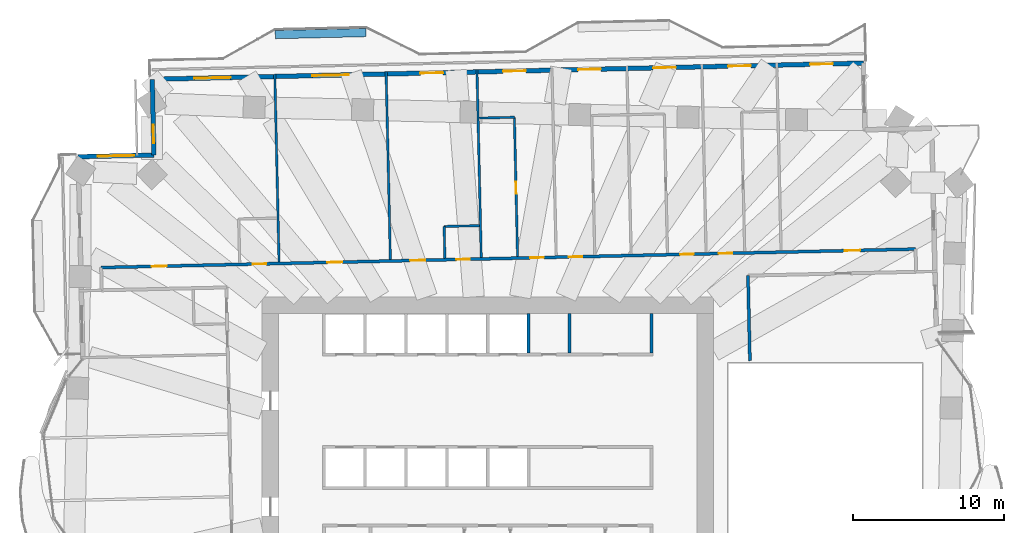
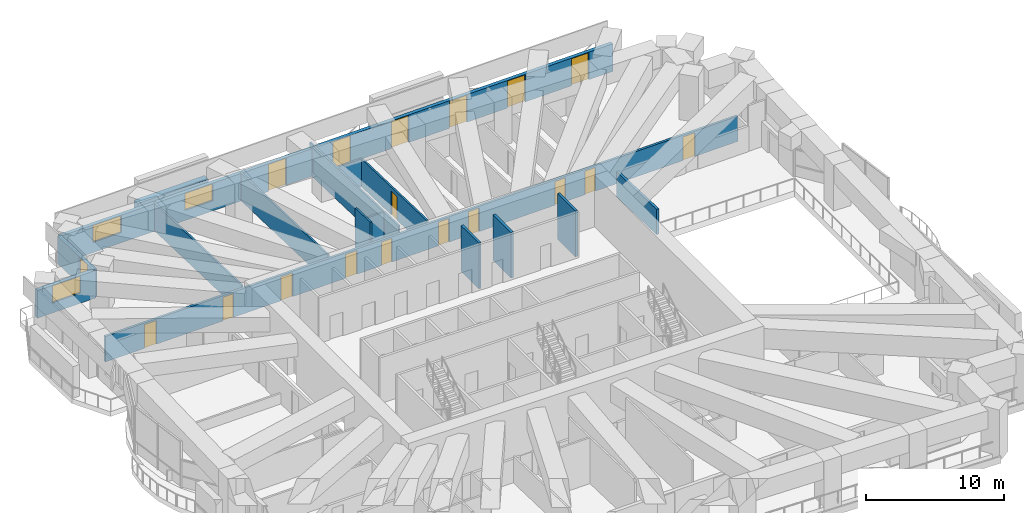
# One storey, part 14 of 20: 17 doors, 16 walls, 4 windows, 21 openings.
"""IFC4 building model written with IfcOpenShell, lengths in metres."""

from ifc_helpers import new_model, si_unit, direction, frame, frame_2d, origin, place, context, subcontext, project, spatial, rectangle, extrude, material, layer, layer_set, type_object, element, fill, save


model = new_model("IFC4")

# Units and contexts
model_context = context("Model", 3, precision=1e-05, world=origin(), true_north=direction((0.0, 1.0)))
body_context = subcontext(model_context, "Body", "Model", "MODEL_VIEW")
ifc_project = project(units=[si_unit("LENGTHUNIT", "METRE"), si_unit("AREAUNIT", "SQUARE_METRE"), si_unit("VOLUMEUNIT", "CUBIC_METRE"), si_unit("PLANEANGLEUNIT", "RADIAN"), si_unit("MASSUNIT", "GRAM", prefix="KILO")], contexts=[model_context])

# Site, building, storey
site_placement = place(None, origin())
site = spatial("IfcSite", under=ifc_project, at=site_placement, CompositionType="ELEMENT")
building_placement = place(site_placement, origin())
building = spatial("IfcBuilding", under=site, at=building_placement, Name="Mangrove Gate Tower", CompositionType="ELEMENT")
storey_placement = place(building_placement, frame((0.0, 0.0, 74.699951171875)))
storey = spatial("IfcBuildingStorey", under=building, at=storey_placement, Name="L18", CompositionType="ELEMENT", Elevation=74.699951171875)

# Walls
ifc_material_1 = material(Name="Concrete C32/40", Category="concrete")
ifc_layer_1 = layer(ifc_material_1, 0.199951171875)
ifc_layer_set_1 = layer_set([ifc_layer_1], Name="Core room wall 200 C32/40")
wall_type_1 = type_object("IfcWallType", Name="Core room wall 200 C32/40", PredefinedType="STANDARD", material=ifc_layer_set_1)
for number, where, z_axis, x_axis, name in (
    (1, (5.39990234375, 8.199951171875, 0.0), (0.0, 0.0, 1.0), (0.0, 1.0, 0.0), "WALL-L18-CORE-32"),
    (2, (10.800048828125, 8.199951171875, 0.0), (0.0, 0.0, 1.0), (0.0, 1.0, 0.0), "WALL-L18-CORE-33"),
):
    element("IfcWall", number, at=place(storey_placement, frame(where, z_axis=z_axis, x_axis=x_axis)), inside=storey, type_object=wall_type_1, Name=name, PredefinedType="STANDARD", context=body_context, shape_type="SweptSolid", body=[
        extrude(rectangle(XDim=2.60009765625, YDim=0.199951171875, at=frame_2d((1.300048828125, 0.0))), origin(), (0.0, 0.0, 1.0), 4.050048828125),
    ])
ifc_material_2 = material(Name="Concrete C70/85", Category="concrete")
ifc_layer_2 = layer(ifc_material_2, 0.199951171875)
ifc_layer_set_2 = layer_set([ifc_layer_2], Name="Core shaft wall 200 C70/85")
wall_type_2 = type_object("IfcWallType", Name="Core shaft wall 200 C70/85", PredefinedType="SHEAR", material=ifc_layer_set_2)
wall_1_placement = place(storey_placement, frame((2.699951171875, 8.199951171875, 0.0), z_axis=(0.0, 0.0, 1.0), x_axis=(0.0, 1.0, 0.0)))
element("IfcWall", 3, at=wall_1_placement, inside=storey, type_object=wall_type_2, Name="WALL-L18-CORE-31", PredefinedType="SHEAR", context=body_context, shape_type="SweptSolid", body=[
    extrude(rectangle(XDim=2.60009765625, YDim=0.199951171875, at=frame_2d((1.300048828125, 0.0))), origin(), (0.0, 0.0, 1.0), 4.050048828125),
])
ifc_material_3 = material(Name="Gypsum board on steel stud, EI 60", Category="steel")
ifc_layer_3 = layer(ifc_material_3, 0.199951171875)
ifc_layer_set_3 = layer_set([ifc_layer_3], Name="Corridor wall EI 60")
wall_type_3 = type_object("IfcWallType", Name="Corridor wall EI 60", PredefinedType="PARTITIONING", material=ifc_layer_set_3)
wall_2_placement = place(storey_placement, frame((17.306884765625, 7.68603515625, 0.0), z_axis=(0.0, 0.0, 1.0), x_axis=(-0.022584272568, 0.999744942789, 0.0)))
element("IfcWall", 4, at=wall_2_placement, inside=storey, type_object=wall_type_3, Name="WALL-L18-036", PredefinedType="PARTITIONING", context=body_context, shape_type="SweptSolid", body=[
    extrude(rectangle(XDim=5.621337890625, YDim=0.199951171875, at=frame_2d((2.810546875, 0.0))), origin(), (0.0, 0.0, 1.0), 2.25),
])

# Wall, openings, doors
wall_3_placement = place(storey_placement, frame((-25.52490234375, 13.837890625, 0.0), z_axis=(0.0, 0.0, 1.0), x_axis=(0.999742549888, 0.022689952476, 0.0)))
wall_3 = element("IfcWall", 5, at=wall_3_placement, inside=storey, type_object=wall_type_3, Name="WALL-L18-046", PredefinedType="PARTITIONING", context=body_context, shape_type="SweptSolid", body=[
    extrude(rectangle(XDim=53.77783203125, YDim=0.199951171875, at=frame_2d((26.888916015625, 0.0))), origin(), (0.0, 0.0, 1.0), 2.25),
])
opening_1_placement = place(wall_3_placement, frame((49.114013671875, 0.0, 0.0)))
opening_1 = element("IfcOpeningElement", 6, at=opening_1_placement, cuts=wall_3, Name="Opening AD", PredefinedType="OPENING", context=body_context, shape_type="SweptSolid", body=[
    extrude(rectangle(XDim=1.0, YDim=2.10009765625, at=frame_2d((0.5, 1.050048828125))), frame((0.0, 0.10986328125, 0.0), z_axis=(0.0, -1.0, 0.0), x_axis=(1.0, 0.0, 0.0)), (0.0, 0.0, 1.0), 0.219970703125),
])
opening_2_placement = place(wall_3_placement, frame((40.781005859375, 0.0, 0.0)))
opening_2 = element("IfcOpeningElement", 7, at=opening_2_placement, cuts=wall_3, Name="Opening BD", PredefinedType="OPENING", context=body_context, shape_type="SweptSolid", body=[
    extrude(rectangle(XDim=0.89990234375, YDim=2.10009765625, at=frame_2d((0.449951171875, 1.050048828125))), frame((0.0, 0.10986328125, 0.0), z_axis=(0.0, -1.0, 0.0), x_axis=(1.0, 0.0, 0.0)), (0.0, 0.0, 1.0), 0.219970703125),
])
opening_3_placement = place(wall_3_placement, frame((38.23095703125, 0.0, 0.0)))
opening_3 = element("IfcOpeningElement", 8, at=opening_3_placement, cuts=wall_3, Name="Opening BD", PredefinedType="OPENING", context=body_context, shape_type="SweptSolid", body=[
    extrude(rectangle(XDim=0.89990234375, YDim=2.10009765625, at=frame_2d((0.449951171875, 1.050048828125))), frame((0.0, 0.10986328125, 0.0), z_axis=(0.0, -1.0, 0.0), x_axis=(1.0, 0.0, 0.0)), (0.0, 0.0, 1.0), 0.219970703125),
])
opening_4_placement = place(wall_3_placement, frame((30.881103515625, 0.0, 0.0)))
opening_4 = element("IfcOpeningElement", 9, at=opening_4_placement, cuts=wall_3, Name="Opening BD", PredefinedType="OPENING", context=body_context, shape_type="SweptSolid", body=[
    extrude(rectangle(XDim=0.89990234375, YDim=2.10009765625, at=frame_2d((0.449951171875, 1.050048828125))), frame((0.0, 0.10986328125, 0.0), z_axis=(0.0, -1.0, 0.0), x_axis=(1.0, 0.0, 0.0)), (0.0, 0.0, 1.0), 0.219970703125),
])
opening_5_placement = place(wall_3_placement, frame((28.3310546875, 0.0, 0.0)))
opening_5 = element("IfcOpeningElement", 10, at=opening_5_placement, cuts=wall_3, Name="Opening BD", PredefinedType="OPENING", context=body_context, shape_type="SweptSolid", body=[
    extrude(rectangle(XDim=0.89990234375, YDim=2.10009765625, at=frame_2d((0.449951171875, 1.050048828125))), frame((0.0, 0.10986328125, 0.0), z_axis=(0.0, -1.0, 0.0), x_axis=(1.0, 0.0, 0.0)), (0.0, 0.0, 1.0), 0.219970703125),
])
opening_6_placement = place(wall_3_placement, frame((20.406005859375, 0.0, 0.0)))
opening_6 = element("IfcOpeningElement", 11, at=opening_6_placement, cuts=wall_3, Name="Opening AD", PredefinedType="OPENING", context=body_context, shape_type="SweptSolid", body=[
    extrude(rectangle(XDim=1.0, YDim=2.10009765625, at=frame_2d((0.5, 1.050048828125))), frame((0.0, 0.10986328125, 0.0), z_axis=(0.0, -1.0, 0.0), x_axis=(1.0, 0.0, 0.0)), (0.0, 0.0, 1.0), 0.219970703125),
])
opening_7_placement = place(wall_3_placement, frame((23.4560546875, 0.0, 0.0)))
opening_7 = element("IfcOpeningElement", 12, at=opening_7_placement, cuts=wall_3, Name="Opening SD", PredefinedType="OPENING", context=body_context, shape_type="SweptSolid", body=[
    extrude(rectangle(XDim=0.89990234375, YDim=2.10009765625, at=frame_2d((0.449951171875, 1.050048828125))), frame((0.0, 0.10986328125, 0.0), z_axis=(0.0, -1.0, 0.0), x_axis=(1.0, 0.0, 0.0)), (0.0, 0.0, 1.0), 0.219970703125),
])
opening_8_placement = place(wall_3_placement, frame((14.930908203125, 0.0, 0.0)))
opening_8 = element("IfcOpeningElement", 13, at=opening_8_placement, cuts=wall_3, Name="Opening AD", PredefinedType="OPENING", context=body_context, shape_type="SweptSolid", body=[
    extrude(rectangle(XDim=1.0, YDim=2.10009765625, at=frame_2d((0.5, 1.050048828125))), frame((0.0, 0.10986328125, 0.0), z_axis=(0.0, -1.0, 0.0), x_axis=(1.0, 0.0, 0.0)), (0.0, 0.0, 1.0), 0.219970703125),
])
opening_9_placement = place(wall_3_placement, frame((3.3310546875, 0.0, 0.0)))
opening_9 = element("IfcOpeningElement", 14, at=opening_9_placement, cuts=wall_3, Name="Opening AD", PredefinedType="OPENING", context=body_context, shape_type="SweptSolid", body=[
    extrude(rectangle(XDim=1.0, YDim=2.10009765625, at=frame_2d((0.5, 1.050048828125))), frame((0.0, 0.10986328125, 0.0), z_axis=(0.0, -1.0, 0.0), x_axis=(1.0, 0.0, 0.0)), (0.0, 0.0, 1.0), 0.219970703125),
])
opening_10_placement = place(wall_3_placement, frame((10.006103515625, 0.0, 0.0)))
opening_10 = element("IfcOpeningElement", 15, at=opening_10_placement, cuts=wall_3, Name="Opening SD", PredefinedType="OPENING", context=body_context, shape_type="SweptSolid", body=[
    extrude(rectangle(XDim=0.89990234375, YDim=2.10009765625, at=frame_2d((0.449951171875, 1.050048828125))), frame((0.0, 0.10986328125, 0.0), z_axis=(0.0, -1.0, 0.0), x_axis=(1.0, 0.0, 0.0)), (0.0, 0.0, 1.0), 0.219970703125),
])
ifc_material_4 = material(Name="Timber door leaf", Category="wood")
door_type_1 = type_object("IfcDoorType", Name="Amenity door 1000", OperationType="SINGLE_SWING_LEFT", PredefinedType="DOOR", material=ifc_material_4)
door_1_placement = place(opening_1_placement, origin())
door_1 = element("IfcDoor", 16, at=door_1_placement, inside=storey, type_object=door_type_1, Name="DOOR-L18-KIT-c3b", OperationType="SINGLE_SWING_RIGHT", OverallHeight=2.10009765625, OverallWidth=1.0, PredefinedType="DOOR", context=body_context, shape_type="SweptSolid", body=[
    extrude(rectangle(XDim=1.0, YDim=2.10009765625, at=frame_2d((0.5, 1.050048828125))), frame((0.0, 0.02490234375, 0.0), z_axis=(0.0, -1.0, 0.0), x_axis=(1.0, 0.0, 0.0)), (0.0, 0.0, 1.0), 0.050048828125),
])
fill(opening_1, door_1)
door_2_placement = place(opening_6_placement, origin())
door_2 = element("IfcDoor", 17, at=door_2_placement, inside=storey, type_object=door_type_1, Name="DOOR-L18-KIT-c5a", OperationType="SINGLE_SWING_LEFT", OverallHeight=2.10009765625, OverallWidth=1.0, PredefinedType="DOOR", context=body_context, shape_type="SweptSolid", body=[
    extrude(rectangle(XDim=1.0, YDim=2.10009765625, at=frame_2d((0.5, 1.050048828125))), frame((0.0, 0.02490234375, 0.0), z_axis=(0.0, -1.0, 0.0), x_axis=(1.0, 0.0, 0.0)), (0.0, 0.0, 1.0), 0.050048828125),
])
fill(opening_6, door_2)
door_3_placement = place(opening_8_placement, origin())
door_3 = element("IfcDoor", 18, at=door_3_placement, inside=storey, type_object=door_type_1, Name="DOOR-L18-GAM-c5a", OperationType="SINGLE_SWING_RIGHT", OverallHeight=2.10009765625, OverallWidth=1.0, PredefinedType="DOOR", context=body_context, shape_type="SweptSolid", body=[
    extrude(rectangle(XDim=1.0, YDim=2.10009765625, at=frame_2d((0.5, 1.050048828125))), frame((0.0, 0.02490234375, 0.0), z_axis=(0.0, -1.0, 0.0), x_axis=(1.0, 0.0, 0.0)), (0.0, 0.0, 1.0), 0.050048828125),
])
fill(opening_8, door_3)
door_4_placement = place(opening_9_placement, origin())
door_4 = element("IfcDoor", 19, at=door_4_placement, inside=storey, type_object=door_type_1, Name="DOOR-L18-LNG-c5a", OperationType="SINGLE_SWING_LEFT", OverallHeight=2.10009765625, OverallWidth=1.0, PredefinedType="DOOR", context=body_context, shape_type="SweptSolid", body=[
    extrude(rectangle(XDim=1.0, YDim=2.10009765625, at=frame_2d((0.5, 1.050048828125))), frame((0.0, 0.02490234375, 0.0), z_axis=(0.0, -1.0, 0.0), x_axis=(1.0, 0.0, 0.0)), (0.0, 0.0, 1.0), 0.050048828125),
])
fill(opening_9, door_4)
ifc_material_5 = material(Name="Timber door leaf", Category="wood")
door_type_2 = type_object("IfcDoorType", Name="Bedroom door 900", OperationType="SINGLE_SWING_LEFT", PredefinedType="DOOR", material=ifc_material_5)
door_5_placement = place(opening_2_placement, origin())
door_5 = element("IfcDoor", 20, at=door_5_placement, inside=storey, type_object=door_type_2, Name="DOOR-L18-BED-c304", OperationType="SINGLE_SWING_RIGHT", OverallHeight=2.10009765625, OverallWidth=0.89990234375, PredefinedType="DOOR", context=body_context, shape_type="SweptSolid", body=[
    extrude(rectangle(XDim=0.89990234375, YDim=2.10009765625, at=frame_2d((0.449951171875, 1.050048828125))), frame((0.0, 0.02490234375, 0.0), z_axis=(0.0, -1.0, 0.0), x_axis=(1.0, 0.0, 0.0)), (0.0, 0.0, 1.0), 0.050048828125),
])
fill(opening_2, door_5)
door_6_placement = place(opening_3_placement, origin())
door_6 = element("IfcDoor", 21, at=door_6_placement, inside=storey, type_object=door_type_2, Name="DOOR-L18-BED-c305", OperationType="SINGLE_SWING_LEFT", OverallHeight=2.10009765625, OverallWidth=0.89990234375, PredefinedType="DOOR", context=body_context, shape_type="SweptSolid", body=[
    extrude(rectangle(XDim=0.89990234375, YDim=2.10009765625, at=frame_2d((0.449951171875, 1.050048828125))), frame((0.0, 0.02490234375, 0.0), z_axis=(0.0, -1.0, 0.0), x_axis=(1.0, 0.0, 0.0)), (0.0, 0.0, 1.0), 0.050048828125),
])
fill(opening_3, door_6)
door_7_placement = place(opening_4_placement, origin())
door_7 = element("IfcDoor", 22, at=door_7_placement, inside=storey, type_object=door_type_2, Name="DOOR-L18-BED-c406", OperationType="SINGLE_SWING_RIGHT", OverallHeight=2.10009765625, OverallWidth=0.89990234375, PredefinedType="DOOR", context=body_context, shape_type="SweptSolid", body=[
    extrude(rectangle(XDim=0.89990234375, YDim=2.10009765625, at=frame_2d((0.449951171875, 1.050048828125))), frame((0.0, 0.02490234375, 0.0), z_axis=(0.0, -1.0, 0.0), x_axis=(1.0, 0.0, 0.0)), (0.0, 0.0, 1.0), 0.050048828125),
])
fill(opening_4, door_7)
door_8_placement = place(opening_5_placement, origin())
door_8 = element("IfcDoor", 23, at=door_8_placement, inside=storey, type_object=door_type_2, Name="DOOR-L18-BED-c507", OperationType="SINGLE_SWING_LEFT", OverallHeight=2.10009765625, OverallWidth=0.89990234375, PredefinedType="DOOR", context=body_context, shape_type="SweptSolid", body=[
    extrude(rectangle(XDim=0.89990234375, YDim=2.10009765625, at=frame_2d((0.449951171875, 1.050048828125))), frame((0.0, 0.02490234375, 0.0), z_axis=(0.0, -1.0, 0.0), x_axis=(1.0, 0.0, 0.0)), (0.0, 0.0, 1.0), 0.050048828125),
])
fill(opening_5, door_8)
ifc_material_6 = material(Name="Timber door leaf", Category="wood")
door_type_3 = type_object("IfcDoorType", Name="Service room door 900", OperationType="SINGLE_SWING_LEFT", PredefinedType="DOOR", material=ifc_material_6)
door_9_placement = place(opening_7_placement, origin())
door_9 = element("IfcDoor", 24, at=door_9_placement, inside=storey, type_object=door_type_3, Name="DOOR-L18-LIN-c5a", OperationType="SINGLE_SWING_LEFT", OverallHeight=2.10009765625, OverallWidth=0.89990234375, PredefinedType="DOOR", context=body_context, shape_type="SweptSolid", body=[
    extrude(rectangle(XDim=0.89990234375, YDim=2.10009765625, at=frame_2d((0.449951171875, 1.050048828125))), frame((0.0, 0.02490234375, 0.0), z_axis=(0.0, -1.0, 0.0), x_axis=(1.0, 0.0, 0.0)), (0.0, 0.0, 1.0), 0.050048828125),
])
fill(opening_7, door_9)
door_10_placement = place(opening_10_placement, origin())
door_10 = element("IfcDoor", 25, at=door_10_placement, inside=storey, type_object=door_type_3, Name="DOOR-L18-AWC-c5a", OperationType="SINGLE_SWING_RIGHT", OverallHeight=2.10009765625, OverallWidth=0.89990234375, PredefinedType="DOOR", context=body_context, shape_type="SweptSolid", body=[
    extrude(rectangle(XDim=0.89990234375, YDim=2.10009765625, at=frame_2d((0.449951171875, 1.050048828125))), frame((0.0, 0.02490234375, 0.0), z_axis=(0.0, -1.0, 0.0), x_axis=(1.0, 0.0, 0.0)), (0.0, 0.0, 1.0), 0.050048828125),
])
fill(opening_10, door_10)

# Wall, openings, doors, windows
ifc_material_7 = material(Name="Limestone", Category="masonry")
ifc_layer_4 = layer(ifc_material_7, 0.0400390625, Name="Limestone cladding")
ifc_material_8 = material(Name="Ventilated air gap")
ifc_layer_5 = layer(ifc_material_8, 0.0400390625, Name="Ventilated cavity")
ifc_material_9 = material(Name="Mineral wool insulation")
ifc_layer_6 = layer(ifc_material_9, 0.06005859375, Name="Insulation")
ifc_material_10 = material(Name="Breather membrane")
ifc_layer_7 = layer(ifc_material_10, 0.001953125, Name="Breather membrane")
ifc_material_11 = material(Name="Concrete C20/25 blockwork", Category="masonry")
ifc_layer_8 = layer(ifc_material_11, 0.14990234375, Name="Blockwork backing wall")
ifc_material_12 = material(Name="Gypsum plaster")
ifc_layer_9 = layer(ifc_material_12, 0.008056640625, Name="Internal plaster")
ifc_layer_set_4 = layer_set([ifc_layer_4, ifc_layer_5, ifc_layer_6, ifc_layer_7, ifc_layer_8, ifc_layer_9], Name="External wall 300 limestone cladding")
wall_type_4 = type_object("IfcWallType", Name="External wall 300 limestone cladding", PredefinedType="SOLIDWALL", material=ifc_layer_set_4)
wall_4_placement = place(storey_placement, frame((24.80908203125, 27.3330078125, 0.0), z_axis=(0.0, 0.0, 1.0), x_axis=(-0.999742489858, -0.022692597327, 0.0)))
wall_4 = element("IfcWall", 26, at=wall_4_placement, inside=storey, type_object=wall_type_4, Name="WALL-L18-N5", PredefinedType="SOLIDWALL", context=body_context, shape_type="SweptSolid", body=[
    extrude(rectangle(XDim=46.97216796875, YDim=0.300048828125, at=frame_2d((23.486083984375, 0.0))), origin(), (0.0, 0.0, 1.0), 2.449951171875),
])
opening_11_placement = place(wall_4_placement, frame((2.035888671875, 0.0, 0.0)))
opening_11 = element("IfcOpeningElement", 27, at=opening_11_placement, cuts=wall_4, Name="Opening BD1", PredefinedType="OPENING", context=body_context, shape_type="SweptSolid", body=[
    extrude(rectangle(XDim=1.5, YDim=2.39990234375, at=frame_2d((0.75, 1.199951171875))), frame((0.0, 0.159912109375, 0.0), z_axis=(0.0, -1.0, 0.0), x_axis=(1.0, 0.0, 0.0)), (0.0, 0.0, 1.0), 0.320068359375),
])
opening_12_placement = place(wall_4_placement, frame((7.447021484375, 0.0, 0.0)))
opening_12 = element("IfcOpeningElement", 28, at=opening_12_placement, cuts=wall_4, Name="Opening BD1", PredefinedType="OPENING", context=body_context, shape_type="SweptSolid", body=[
    extrude(rectangle(XDim=1.5, YDim=2.39990234375, at=frame_2d((0.75, 1.199951171875))), frame((0.0, 0.159912109375, 0.0), z_axis=(0.0, -1.0, 0.0), x_axis=(1.0, 0.0, 0.0)), (0.0, 0.0, 1.0), 0.320068359375),
])
opening_13_placement = place(wall_4_placement, frame((12.39697265625, 0.0, 0.0)))
opening_13 = element("IfcOpeningElement", 29, at=opening_13_placement, cuts=wall_4, Name="Opening BD1", PredefinedType="OPENING", context=body_context, shape_type="SweptSolid", body=[
    extrude(rectangle(XDim=1.5, YDim=2.39990234375, at=frame_2d((0.75, 1.199951171875))), frame((0.0, 0.159912109375, 0.0), z_axis=(0.0, -1.0, 0.0), x_axis=(1.0, 0.0, 0.0)), (0.0, 0.0, 1.0), 0.320068359375),
])
opening_14_placement = place(wall_4_placement, frame((17.346923828125, 0.0, 0.0)))
opening_14 = element("IfcOpeningElement", 30, at=opening_14_placement, cuts=wall_4, Name="Opening BD1", PredefinedType="OPENING", context=body_context, shape_type="SweptSolid", body=[
    extrude(rectangle(XDim=1.5, YDim=2.39990234375, at=frame_2d((0.75, 1.199951171875))), frame((0.0, 0.159912109375, 0.0), z_axis=(0.0, -1.0, 0.0), x_axis=(1.0, 0.0, 0.0)), (0.0, 0.0, 1.0), 0.320068359375),
])
opening_15_placement = place(wall_4_placement, frame((22.297119140625, 0.0, 0.0)))
opening_15 = element("IfcOpeningElement", 31, at=opening_15_placement, cuts=wall_4, Name="Opening BD1", PredefinedType="OPENING", context=body_context, shape_type="SweptSolid", body=[
    extrude(rectangle(XDim=1.5, YDim=2.39990234375, at=frame_2d((0.75, 1.199951171875))), frame((0.0, 0.159912109375, 0.0), z_axis=(0.0, -1.0, 0.0), x_axis=(1.0, 0.0, 0.0)), (0.0, 0.0, 1.0), 0.320068359375),
])
opening_16_placement = place(wall_4_placement, frame((27.77197265625, 0.0, 0.0)))
opening_16 = element("IfcOpeningElement", 32, at=opening_16_placement, cuts=wall_4, Name="Opening BD1", PredefinedType="OPENING", context=body_context, shape_type="SweptSolid", body=[
    extrude(rectangle(XDim=1.5, YDim=2.39990234375, at=frame_2d((0.75, 1.199951171875))), frame((0.0, 0.159912109375, 0.0), z_axis=(0.0, -1.0, 0.0), x_axis=(1.0, 0.0, 0.0)), (0.0, 0.0, 1.0), 0.320068359375),
])
opening_17_placement = place(wall_4_placement, frame((33.9970703125, 0.0, 0.89990234375)))
opening_17 = element("IfcOpeningElement", 33, at=opening_17_placement, cuts=wall_4, Name="Opening W2", PredefinedType="OPENING", context=body_context, shape_type="SweptSolid", body=[
    extrude(rectangle(XDim=2.39990234375, YDim=1.5, at=frame_2d((1.199951171875, 0.75))), frame((0.0, 0.159912109375, 0.0), z_axis=(0.0, -1.0, 0.0), x_axis=(1.0, 0.0, 0.0)), (0.0, 0.0, 1.0), 0.320068359375),
])
opening_18_placement = place(wall_4_placement, frame((41.797119140625, 0.0, 0.89990234375)))
opening_18 = element("IfcOpeningElement", 34, at=opening_18_placement, cuts=wall_4, Name="Opening W2", PredefinedType="OPENING", context=body_context, shape_type="SweptSolid", body=[
    extrude(rectangle(XDim=2.39990234375, YDim=1.5, at=frame_2d((1.199951171875, 0.75))), frame((0.0, 0.159912109375, 0.0), z_axis=(0.0, -1.0, 0.0), x_axis=(1.0, 0.0, 0.0)), (0.0, 0.0, 1.0), 0.320068359375),
])
ifc_material_13 = material(Name="Aluminium frame with laminated clear glass", Category="aluminium")
door_type_4 = type_object("IfcDoorType", Name="Balcony sliding door 1500x2400", OperationType="SLIDING_TO_LEFT", PredefinedType="DOOR", material=ifc_material_13)
door_11_placement = place(opening_11_placement, origin())
door_11 = element("IfcDoor", 35, at=door_11_placement, inside=storey, type_object=door_type_4, Name="DOOR-L18-N5-1", OperationType="SLIDING_TO_LEFT", OverallHeight=2.39990234375, OverallWidth=1.5, PredefinedType="DOOR", context=body_context, shape_type="SweptSolid", body=[
    extrude(rectangle(XDim=1.5, YDim=2.39990234375, at=frame_2d((0.75, 1.199951171875))), frame((0.0, 0.02490234375, 0.0), z_axis=(0.0, -1.0, 0.0), x_axis=(1.0, 0.0, 0.0)), (0.0, 0.0, 1.0), 0.050048828125),
])
fill(opening_11, door_11)
door_12_placement = place(opening_12_placement, origin())
door_12 = element("IfcDoor", 36, at=door_12_placement, inside=storey, type_object=door_type_4, Name="DOOR-L18-N5-2", OperationType="SLIDING_TO_LEFT", OverallHeight=2.39990234375, OverallWidth=1.5, PredefinedType="DOOR", context=body_context, shape_type="SweptSolid", body=[
    extrude(rectangle(XDim=1.5, YDim=2.39990234375, at=frame_2d((0.75, 1.199951171875))), frame((0.0, 0.02490234375, 0.0), z_axis=(0.0, -1.0, 0.0), x_axis=(1.0, 0.0, 0.0)), (0.0, 0.0, 1.0), 0.050048828125),
])
fill(opening_12, door_12)
door_13_placement = place(opening_13_placement, origin())
door_13 = element("IfcDoor", 37, at=door_13_placement, inside=storey, type_object=door_type_4, Name="DOOR-L18-N5-3", OperationType="SLIDING_TO_LEFT", OverallHeight=2.39990234375, OverallWidth=1.5, PredefinedType="DOOR", context=body_context, shape_type="SweptSolid", body=[
    extrude(rectangle(XDim=1.5, YDim=2.39990234375, at=frame_2d((0.75, 1.199951171875))), frame((0.0, 0.02490234375, 0.0), z_axis=(0.0, -1.0, 0.0), x_axis=(1.0, 0.0, 0.0)), (0.0, 0.0, 1.0), 0.050048828125),
])
fill(opening_13, door_13)
door_14_placement = place(opening_14_placement, origin())
door_14 = element("IfcDoor", 38, at=door_14_placement, inside=storey, type_object=door_type_4, Name="DOOR-L18-N5-4", OperationType="SLIDING_TO_LEFT", OverallHeight=2.39990234375, OverallWidth=1.5, PredefinedType="DOOR", context=body_context, shape_type="SweptSolid", body=[
    extrude(rectangle(XDim=1.5, YDim=2.39990234375, at=frame_2d((0.75, 1.199951171875))), frame((0.0, 0.02490234375, 0.0), z_axis=(0.0, -1.0, 0.0), x_axis=(1.0, 0.0, 0.0)), (0.0, 0.0, 1.0), 0.050048828125),
])
fill(opening_14, door_14)
door_15_placement = place(opening_15_placement, origin())
door_15 = element("IfcDoor", 39, at=door_15_placement, inside=storey, type_object=door_type_4, Name="DOOR-L18-N5-5", OperationType="SLIDING_TO_LEFT", OverallHeight=2.39990234375, OverallWidth=1.5, PredefinedType="DOOR", context=body_context, shape_type="SweptSolid", body=[
    extrude(rectangle(XDim=1.5, YDim=2.39990234375, at=frame_2d((0.75, 1.199951171875))), frame((0.0, 0.02490234375, 0.0), z_axis=(0.0, -1.0, 0.0), x_axis=(1.0, 0.0, 0.0)), (0.0, 0.0, 1.0), 0.050048828125),
])
fill(opening_15, door_15)
door_16_placement = place(opening_16_placement, origin())
door_16 = element("IfcDoor", 40, at=door_16_placement, inside=storey, type_object=door_type_4, Name="DOOR-L18-N5-6", OperationType="SLIDING_TO_LEFT", OverallHeight=2.39990234375, OverallWidth=1.5, PredefinedType="DOOR", context=body_context, shape_type="SweptSolid", body=[
    extrude(rectangle(XDim=1.5, YDim=2.39990234375, at=frame_2d((0.75, 1.199951171875))), frame((0.0, 0.02490234375, 0.0), z_axis=(0.0, -1.0, 0.0), x_axis=(1.0, 0.0, 0.0)), (0.0, 0.0, 1.0), 0.050048828125),
])
fill(opening_16, door_16)
ifc_material_14 = material(Name="Aluminium frame with double-glazed low-e glass", Category="aluminium")
window_type_1 = type_object("IfcWindowType", Name="Corner room window 2400x1500", PartitioningType="DOUBLE_PANEL_VERTICAL", PredefinedType="WINDOW", material=ifc_material_14)
window_1_placement = place(opening_17_placement, origin())
window_1 = element("IfcWindow", 41, at=window_1_placement, inside=storey, type_object=window_type_1, Name="WIN-L18-N5-7", OverallHeight=1.5, OverallWidth=2.39990234375, PartitioningType="DOUBLE_PANEL_VERTICAL", PredefinedType="WINDOW", context=body_context, shape_type="SweptSolid", body=[
    extrude(rectangle(XDim=2.39990234375, YDim=1.5, at=frame_2d((1.199951171875, 0.75))), frame((0.0, 0.030029296875, 0.0), z_axis=(0.0, -1.0, 0.0), x_axis=(1.0, 0.0, 0.0)), (0.0, 0.0, 1.0), 0.06005859375),
])
fill(opening_17, window_1)
window_2_placement = place(opening_18_placement, origin())
window_2 = element("IfcWindow", 42, at=window_2_placement, inside=storey, type_object=window_type_1, Name="WIN-L18-N5-8", OverallHeight=1.5, OverallWidth=2.39990234375, PartitioningType="DOUBLE_PANEL_VERTICAL", PredefinedType="WINDOW", context=body_context, shape_type="SweptSolid", body=[
    extrude(rectangle(XDim=2.39990234375, YDim=1.5, at=frame_2d((1.199951171875, 0.75))), frame((0.0, 0.030029296875, 0.0), z_axis=(0.0, -1.0, 0.0), x_axis=(1.0, 0.0, 0.0)), (0.0, 0.0, 1.0), 0.06005859375),
])
fill(opening_18, window_2)

# Wall, opening, window
wall_5_placement = place(storey_placement, frame((-22.15087890625, 26.26708984375, 0.0), z_axis=(0.0, 0.0, 1.0), x_axis=(0.022756903044, -0.999741028149, 0.0)))
wall_5 = element("IfcWall", 43, at=wall_5_placement, inside=storey, type_object=wall_type_4, Name="WALL-L18-W6", PredefinedType="SOLIDWALL", context=body_context, shape_type="SweptSolid", body=[
    extrude(rectangle(XDim=4.999267578125, YDim=0.300048828125, at=frame_2d((2.49951171875, 0.0))), origin(), (0.0, 0.0, 1.0), 2.449951171875),
])
opening_19_placement = place(wall_5_placement, frame((3.009033203125, 0.0, 0.89990234375)))
opening_19 = element("IfcOpeningElement", 44, at=opening_19_placement, cuts=wall_5, Name="Opening W1", PredefinedType="OPENING", context=body_context, shape_type="SweptSolid", body=[
    extrude(rectangle(XDim=1.199951171875, YDim=1.5, at=frame_2d((0.60009765625, 0.75))), frame((0.0, 0.159912109375, 0.0), z_axis=(0.0, -1.0, 0.0), x_axis=(1.0, 0.0, 0.0)), (0.0, 0.0, 1.0), 0.320068359375),
])
ifc_material_15 = material(Name="Aluminium frame with double-glazed low-e glass", Category="aluminium")
window_type_2 = type_object("IfcWindowType", Name="Side lite 1200x1500", PartitioningType="SINGLE_PANEL", PredefinedType="WINDOW", material=ifc_material_15)
window_3_placement = place(opening_19_placement, origin())
window_3 = element("IfcWindow", 45, at=window_3_placement, inside=storey, type_object=window_type_2, Name="WIN-L18-W6-1", OverallHeight=1.5, OverallWidth=1.199951171875, PartitioningType="SINGLE_PANEL", PredefinedType="WINDOW", context=body_context, shape_type="SweptSolid", body=[
    extrude(rectangle(XDim=1.199951171875, YDim=1.5, at=frame_2d((0.60009765625, 0.75))), frame((0.0, 0.030029296875, 0.0), z_axis=(0.0, -1.0, 0.0), x_axis=(1.0, 0.0, 0.0)), (0.0, 0.0, 1.0), 0.06005859375),
])
fill(opening_19, window_3)

wall_6_placement = place(storey_placement, frame((-22.037109375, 21.26904296875, 0.0), z_axis=(0.0, 0.0, 1.0), x_axis=(-0.999739992103, -0.022802372469, 0.0)))
wall_6 = element("IfcWall", 46, at=wall_6_placement, inside=storey, type_object=wall_type_4, Name="WALL-L18-N7", PredefinedType="SOLIDWALL", context=body_context, shape_type="SweptSolid", body=[
    extrude(rectangle(XDim=5.0, YDim=0.300048828125, at=frame_2d((2.5, 0.0))), origin(), (0.0, 0.0, 1.0), 2.449951171875),
])
opening_20_placement = place(wall_6_placement, frame((1.31591796875, 0.0, 0.89990234375)))
opening_20 = element("IfcOpeningElement", 47, at=opening_20_placement, cuts=wall_6, Name="Opening W2", PredefinedType="OPENING", context=body_context, shape_type="SweptSolid", body=[
    extrude(rectangle(XDim=2.39990234375, YDim=1.5, at=frame_2d((1.199951171875, 0.75))), frame((0.0, 0.159912109375, 0.0), z_axis=(0.0, -1.0, 0.0), x_axis=(1.0, 0.0, 0.0)), (0.0, 0.0, 1.0), 0.320068359375),
])
window_4_placement = place(opening_20_placement, origin())
window_4 = element("IfcWindow", 48, at=window_4_placement, inside=storey, type_object=window_type_1, Name="WIN-L18-N7-1", OverallHeight=1.5, OverallWidth=2.39990234375, PartitioningType="DOUBLE_PANEL_VERTICAL", PredefinedType="WINDOW", context=body_context, shape_type="SweptSolid", body=[
    extrude(rectangle(XDim=2.39990234375, YDim=1.5, at=frame_2d((1.199951171875, 0.75))), frame((0.0, 0.030029296875, 0.0), z_axis=(0.0, -1.0, 0.0), x_axis=(1.0, 0.0, 0.0)), (0.0, 0.0, 1.0), 0.06005859375),
])
fill(opening_20, window_4)

# Walls
ifc_material_16 = material(Name="Gypsum board on steel stud, EI 60", Category="steel")
ifc_layer_10 = layer(ifc_material_16, 0.14990234375)
ifc_layer_set_5 = layer_set([ifc_layer_10], Name="Party wall 150 EI 60")
wall_type_5 = type_object("IfcWallType", Name="Party wall 150 EI 60", PredefinedType="PARTITIONING", material=ifc_layer_set_5)
for number, where, z_axis, x_axis, name in (
    (49, (-13.779052734375, 14.2041015625, 0.0), (0.0, 0.0, 1.0), (-0.022661475803, 0.999743195783, 0.0), "WALL-L18-048"),
    (50, (-6.430908203125, 14.37109375, 0.0), (0.0, 0.0, 1.0), (-0.022661475803, 0.999743195783, 0.0), "WALL-L18-049"),
):
    element("IfcWall", number, at=place(storey_placement, frame(where, z_axis=z_axis, x_axis=x_axis)), inside=storey, type_object=wall_type_5, Name=name, PredefinedType="PARTITIONING", context=body_context, shape_type="SweptSolid", body=[
        extrude(rectangle(XDim=12.400146484375, YDim=0.14990234375, at=frame_2d((6.2001953125, 0.0))), origin(), (0.0, 0.0, 1.0), 2.449951171875),
    ])
wall_7_placement = place(storey_placement, frame((-2.83203125, 14.452880859375, 0.0), z_axis=(0.0, 0.0, 1.0), x_axis=(-0.022325208909, 0.999750761464, 0.0)))
element("IfcWall", 51, at=wall_7_placement, inside=storey, type_object=wall_type_5, Name="WALL-L18-050", PredefinedType="PARTITIONING", context=body_context, shape_type="SweptSolid", body=[
    extrude(rectangle(XDim=2.099609375, YDim=0.14990234375, at=frame_2d((1.0498046875, 0.0))), origin(), (0.0, 0.0, 1.0), 4.050048828125),
])
wall_8_placement = place(storey_placement, frame((-0.431884765625, 14.507080078125, 0.0), z_axis=(0.0, 0.0, 1.0), x_axis=(-0.022759867473, 0.999740960666, 0.0)))
element("IfcWall", 52, at=wall_8_placement, inside=storey, type_object=wall_type_5, Name="WALL-L18-051", PredefinedType="PARTITIONING", context=body_context, shape_type="SweptSolid", body=[
    extrude(rectangle(XDim=12.400146484375, YDim=0.14990234375, at=frame_2d((6.2001953125, 0.0))), origin(), (0.0, 0.0, 1.0), 2.85009765625),
])

# Wall, opening, door
wall_9_placement = place(storey_placement, frame((1.967041015625, 14.56201171875, 0.0), z_axis=(0.0, 0.0, 1.0), x_axis=(-0.022717185456, 0.999741931443, 0.0)))
wall_9 = element("IfcWall", 53, at=wall_9_placement, inside=storey, type_object=wall_type_5, Name="WALL-L18-052", PredefinedType="PARTITIONING", context=body_context, shape_type="SweptSolid", body=[
    extrude(rectangle(XDim=9.199462890625, YDim=0.14990234375, at=frame_2d((4.599609375, 0.0))), origin(), (0.0, 0.0, 1.0), 2.449951171875),
])
opening_21_placement = place(wall_9_placement, frame((4.14990234375, 0.0, 0.0)))
opening_21 = element("IfcOpeningElement", 54, at=opening_21_placement, cuts=wall_9, Name="Opening ED", PredefinedType="OPENING", context=body_context, shape_type="SweptSolid", body=[
    extrude(rectangle(XDim=0.800048828125, YDim=2.10009765625, at=frame_2d((0.39990234375, 1.050048828125))), frame((0.0, 0.0849609375, 0.0), z_axis=(0.0, -1.0, 0.0), x_axis=(1.0, 0.0, 0.0)), (0.0, 0.0, 1.0), 0.169921875),
])
ifc_material_17 = material(Name="Timber door leaf", Category="wood")
door_type_5 = type_object("IfcDoorType", Name="En-suite door 800", OperationType="SINGLE_SWING_LEFT", PredefinedType="DOOR", material=ifc_material_17)
door_17_placement = place(opening_21_placement, origin())
door_17 = element("IfcDoor", 55, at=door_17_placement, inside=storey, type_object=door_type_5, Name="DOOR-L18-ENS-c507", OperationType="SINGLE_SWING_LEFT", OverallHeight=2.10009765625, OverallWidth=0.800048828125, PredefinedType="DOOR", context=body_context, shape_type="SweptSolid", body=[
    extrude(rectangle(XDim=0.800048828125, YDim=2.10009765625, at=frame_2d((0.39990234375, 1.050048828125))), frame((0.0, 0.02490234375, 0.0), z_axis=(0.0, -1.0, 0.0), x_axis=(1.0, 0.0, 0.0)), (0.0, 0.0, 1.0), 0.050048828125),
])
fill(opening_21, door_17)

# Walls
wall_10_placement = place(storey_placement, frame((-2.875, 16.552001953125, 0.0), z_axis=(0.0, 0.0, 1.0), x_axis=(0.999740260747, 0.02279059109, 0.0)))
element("IfcWall", 56, at=wall_10_placement, inside=storey, type_object=wall_type_5, Name="WALL-L18-060", PredefinedType="PARTITIONING", context=body_context, shape_type="SweptSolid", body=[
    extrude(rectangle(XDim=2.324462890625, YDim=0.14990234375, at=frame_2d((1.162109375, 0.0))), origin(), (0.0, 0.0, 1.0), 2.85009765625),
])
wall_11_placement = place(storey_placement, frame((-0.56201171875, 23.70703125, 0.0), z_axis=(0.0, 0.0, 1.0), x_axis=(0.999749744571, 0.022370700241, 0.0)))
element("IfcWall", 57, at=wall_11_placement, inside=storey, type_object=wall_type_5, Name="WALL-L18-062", PredefinedType="PARTITIONING", context=body_context, shape_type="SweptSolid", body=[
    extrude(rectangle(XDim=2.324462890625, YDim=0.14990234375, at=frame_2d((1.162109375, 0.0))), origin(), (0.0, 0.0, 1.0), 2.449951171875),
])
ifc_material_18 = material(Name="Concrete C32/40", Category="concrete")
ifc_layer_11 = layer(ifc_material_18, 0.199951171875, Name="Planter trough wall")
ifc_material_19 = material(Name="Bituminous waterproofing membrane")
ifc_layer_12 = layer(ifc_material_19, 0.0048828125, Name="Waterproofing")
ifc_material_20 = material(Name="Drainage board and gravel")
ifc_layer_13 = layer(ifc_material_20, 0.044921875, Name="Drainage layer")
ifc_material_21 = material(Name="Planting soil")
ifc_layer_14 = layer(ifc_material_21, 0.300048828125, Name="Growing medium")
ifc_layer_set_6 = layer_set([ifc_layer_11, ifc_layer_12, ifc_layer_13, ifc_layer_14], Name="Planter wall 550 C32/40")
wall_type_6 = type_object("IfcWallType", Name="Planter wall 550 C32/40", PredefinedType="USERDEFINED", material=ifc_layer_set_6)
wall_12_placement = place(storey_placement, frame((-14.030029296875, 29.217041015625, 0.0), z_axis=(0.0, 0.0, 1.0), x_axis=(0.999739477659, 0.022824916448, 0.0)))
element("IfcWall", 58, at=wall_12_placement, inside=storey, type_object=wall_type_6, Name="PLANTER L18 N1.1", ObjectType="PLANTER", PredefinedType="USERDEFINED", context=body_context, shape_type="SweptSolid", body=[
    extrude(rectangle(XDim=6.00048828125, YDim=0.550048828125, at=frame_2d((3.000244140625, 0.0))), origin(), (0.0, 0.0, 1.0), 0.800048828125),
])

save(model, "model.ifc")
